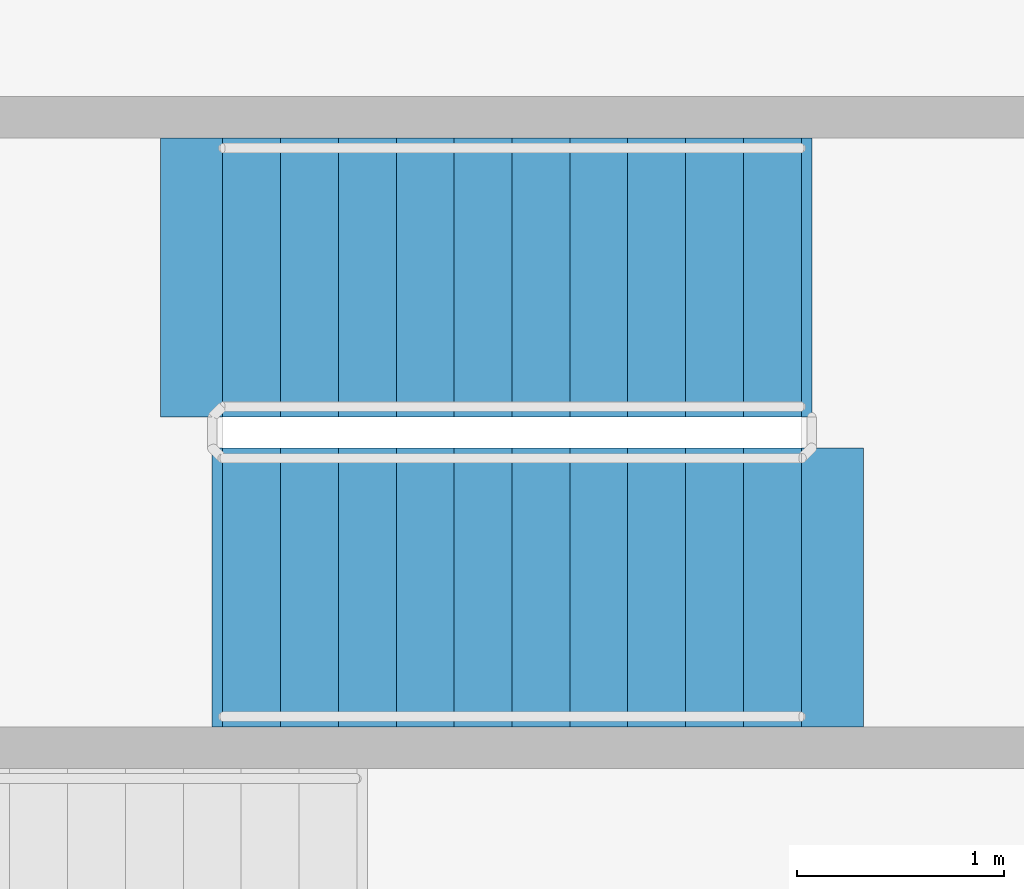
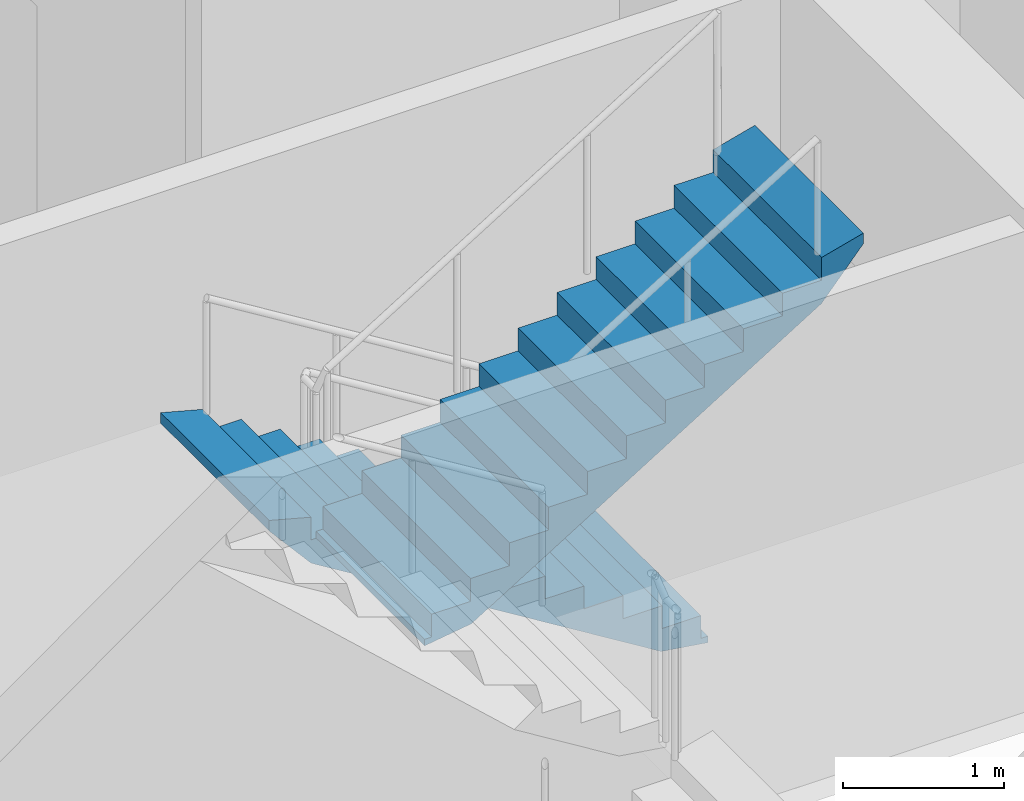
# One storey, part 16 of 19: 2 stair flights, 1 element without a shape of its own.
"""IFC4 building model written with IfcOpenShell, lengths in metres."""

from ifc_helpers import new_model, si_unit, direction, frame, origin, place, context, subcontext, project, spatial, polyline, outline, extrude, material, type_object, element, aggregate, save


model = new_model("IFC4")

# Units and contexts
model_context = context("Model", 3, precision=1e-05, world=origin(), true_north=direction((0.0, 1.0)))
body_context = subcontext(model_context, "Body", "Model", "MODEL_VIEW")
ifc_project = project(units=[si_unit("LENGTHUNIT", "METRE"), si_unit("AREAUNIT", "SQUARE_METRE"), si_unit("VOLUMEUNIT", "CUBIC_METRE"), si_unit("PLANEANGLEUNIT", "RADIAN"), si_unit("MASSUNIT", "GRAM", prefix="KILO")], contexts=[model_context])

# Site, building, storey
site_placement = place(None, origin())
site = spatial("IfcSite", under=ifc_project, at=site_placement, CompositionType="ELEMENT")
building_placement = place(site_placement, origin())
building = spatial("IfcBuilding", under=site, at=building_placement, Name="Zarbagh Exchange Tower", CompositionType="ELEMENT")
storey_placement = place(building_placement, frame((0.0, 0.0, 199.199951171875)))
storey = spatial("IfcBuildingStorey", under=building, at=storey_placement, Name="L48", CompositionType="ELEMENT", Elevation=199.199951171875)

# Stair, stair flights
ifc_material = material(Name="Concrete C40/50", Category="concrete")
stair_type = type_object("IfcStairType", Name="Exit stair two-flight half-turn", PredefinedType="HALF_TURN_STAIR", material=ifc_material)
stair_placement = place(storey_placement, origin())
stair = element("IfcStair", 1, at=stair_placement, inside=storey, type_object=stair_type, Name="exit stair ST1", PredefinedType="HALF_TURN_STAIR")
stair_flight_type = type_object("IfcStairFlightType", Name="Stair flight 1350 mm", PredefinedType="STRAIGHT", material=ifc_material)
stair_flight_1_placement = place(storey_placement, frame((2.550048828125, 17.375, 0.0), z_axis=(0.0, 0.0, 1.0), x_axis=(-1.0, 0.0, 0.0)))
stair_flight_1 = element("IfcStairFlight", 2, at=stair_flight_1_placement, type_object=stair_flight_type, Name="ST1 flight 1", NumberOfRisers=11, NumberOfTreads=10, PredefinedType="STRAIGHT", RiserHeight=0.172727273, TreadLength=0.28, context=body_context, shape_type="SweptSolid", body=[
    extrude(outline(polyline([(-0.050048828125, -0.050048828125), (-0.050048828125, 0.0), (0.0, 0.0), (0.0, 0.172607421875), (0.280029296875, 0.172607421875), (0.280029296875, 0.345458984375), (0.56005859375, 0.345458984375), (0.56005859375, 0.51806640625), (0.840087890625, 0.51806640625), (0.840087890625, 0.69091796875), (1.1201171875, 0.69091796875), (1.1201171875, 0.863525390625), (1.39990234375, 0.863525390625), (1.39990234375, 1.036376953125), (1.679931640625, 1.036376953125), (1.679931640625, 1.208984375), (1.9599609375, 1.208984375), (1.9599609375, 1.3818359375), (2.239990234375, 1.3818359375), (2.239990234375, 1.554443359375), (2.52001953125, 1.554443359375), (2.52001953125, 1.727294921875), (2.800048828125, 1.727294921875), (2.800048828125, 1.89990234375), (3.10009765625, 1.97998046875), (3.10009765625, 1.89990234375), (2.800048828125, 1.551025390625), (0.285400390625, 0.0), (-0.050048828125, -0.050048828125)])), frame((0.0, 0.675048828125, 0.0), z_axis=(0.0, -1.0, 0.0), x_axis=(1.0, 0.0, 0.0)), (0.0, 0.0, 1.0), 1.35009765625),
])
stair_flight_2_placement = place(storey_placement, frame((-0.25, 15.875, 1.900146484375), z_axis=(0.0, 0.0, 1.0), x_axis=(1.0, 0.0, 0.0)))
stair_flight_2 = element("IfcStairFlight", 3, at=stair_flight_2_placement, type_object=stair_flight_type, Name="ST1 flight 2", NumberOfRisers=11, NumberOfTreads=10, PredefinedType="STRAIGHT", RiserHeight=0.172727273, TreadLength=0.28, context=body_context, shape_type="SweptSolid", body=[
    extrude(outline(polyline([(-0.050048828125, -0.050048828125), (-0.050048828125, 0.0), (0.0, 0.0), (0.0, 0.172607421875), (0.280029296875, 0.172607421875), (0.280029296875, 0.345458984375), (0.56005859375, 0.345458984375), (0.56005859375, 0.51806640625), (0.840087890625, 0.51806640625), (0.840087890625, 0.69091796875), (1.1201171875, 0.69091796875), (1.1201171875, 0.863525390625), (1.39990234375, 0.863525390625), (1.39990234375, 1.036376953125), (1.679931640625, 1.036376953125), (1.679931640625, 1.208984375), (1.9599609375, 1.208984375), (1.9599609375, 1.3818359375), (2.239990234375, 1.3818359375), (2.239990234375, 1.554443359375), (2.52001953125, 1.554443359375), (2.52001953125, 1.727294921875), (2.800048828125, 1.727294921875), (2.800048828125, 1.89990234375), (3.10009765625, 1.97998046875), (3.10009765625, 1.89990234375), (2.800048828125, 1.551025390625), (0.285400390625, 0.0), (-0.050048828125, -0.050048828125)])), frame((0.0, 0.675048828125, 0.0), z_axis=(0.0, -1.0, 0.0), x_axis=(1.0, 0.0, 0.0)), (0.0, 0.0, 1.0), 1.35009765625),
])
aggregate(stair, [stair_flight_1, stair_flight_2])

save(model, "model.ifc")
